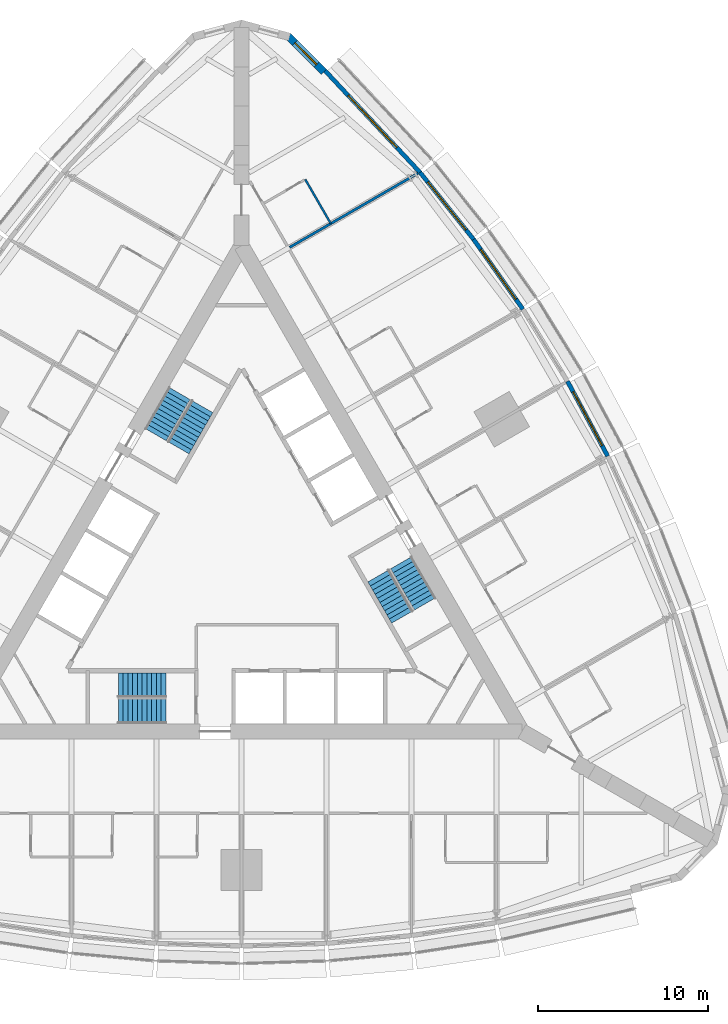
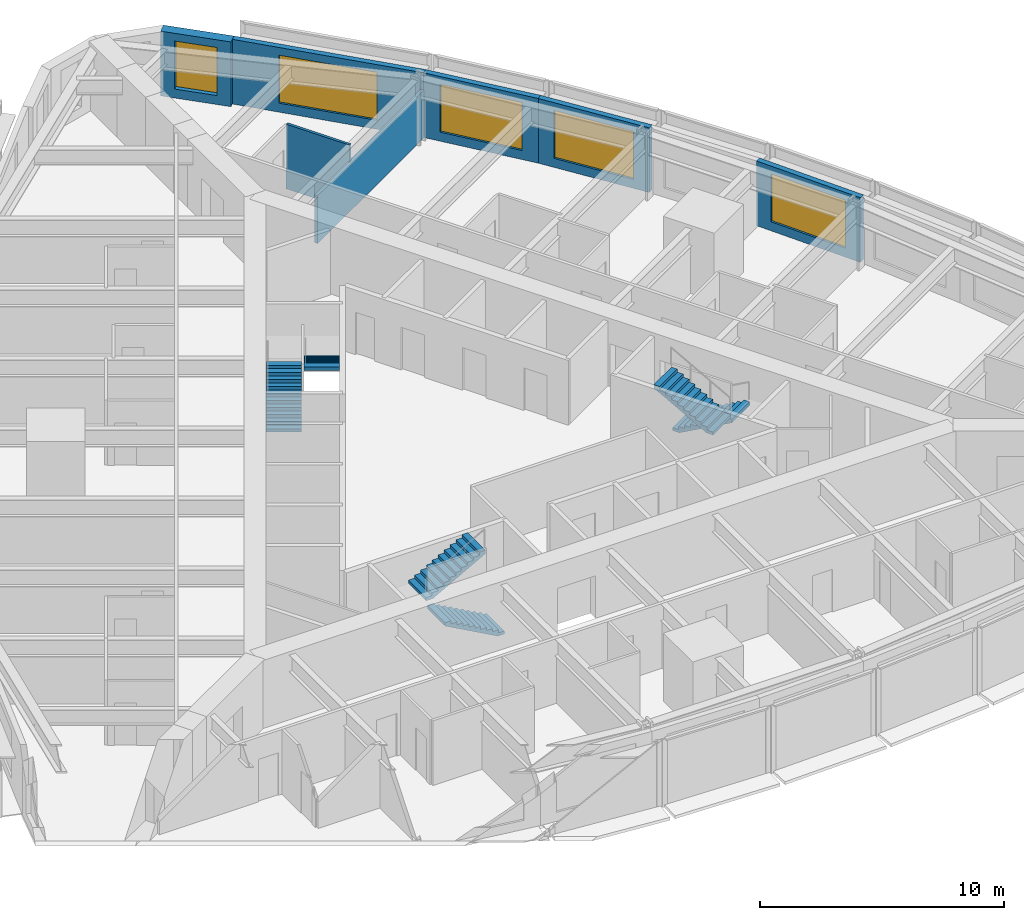
# One storey, part 13 of 14: 7 walls, 6 stair flights, 5 windows, 5 openings, 3 elements without a shape of their own.
"""IFC4 building model written with IfcOpenShell, lengths in metres."""

from ifc_helpers import new_model, si_unit, direction, frame, frame_2d, origin, place, context, subcontext, project, spatial, polyline, rectangle, outline, extrude, material, layer, layer_set, type_object, element, fill, aggregate, save


model = new_model("IFC4")

# Units and contexts
model_context = context("Model", 3, precision=1e-05, world=origin(), true_north=direction((0.0, 1.0)))
body_context = subcontext(model_context, "Body", "Model", "MODEL_VIEW")
ifc_project = project(units=[si_unit("LENGTHUNIT", "METRE"), si_unit("AREAUNIT", "SQUARE_METRE"), si_unit("VOLUMEUNIT", "CUBIC_METRE"), si_unit("PLANEANGLEUNIT", "RADIAN"), si_unit("MASSUNIT", "GRAM", prefix="KILO")], contexts=[model_context])

# Site, building, storey
site_placement = place(None, origin())
site = spatial("IfcSite", under=ifc_project, at=site_placement, CompositionType="ELEMENT")
building_placement = place(site_placement, origin())
building = spatial("IfcBuilding", under=site, at=building_placement, Name="Trikona Tower", CompositionType="ELEMENT")
storey_placement = place(building_placement, frame((0.0, 0.0, 62.5)))
storey = spatial("IfcBuildingStorey", under=building, at=storey_placement, Name="L15", CompositionType="ELEMENT", Elevation=62.5)

# Wall
ifc_material_1 = material(Name="Metal stud and cement board", Category="gypsum")
ifc_layer_1 = layer(ifc_material_1, 0.1201171875)
ifc_layer_set_1 = layer_set([ifc_layer_1], Name="Bathroom wall 120")
wall_type_1 = type_object("IfcWallType", Name="Bathroom wall 120", PredefinedType="PLUMBINGWALL", material=ifc_layer_set_1)
wall_1_placement = place(storey_placement, frame((5.25341796875, 20.353515625, 0.0), z_axis=(0.0, 0.0, 1.0), x_axis=(-0.499990139034, 0.866031096941, 0.0)))
element("IfcWall", 1, at=wall_1_placement, inside=storey, type_object=wall_type_1, Name="Bathroom wall 1512", PredefinedType="PLUMBINGWALL", context=body_context, shape_type="SweptSolid", body=[
    extrude(rectangle(XDim=3.0, YDim=0.1201171875, at=frame_2d((1.5, 0.0))), origin(), (0.0, 0.0, 1.0), 3.235107421875),
])

# Wall, opening, window
ifc_material_2 = material(Name="Brick-faced precast concrete", Category="masonry")
ifc_layer_2 = layer(ifc_material_2, 0.449951171875)
ifc_layer_set_2 = layer_set([ifc_layer_2], Name="Brick-faced corner wall 450")
wall_type_2 = type_object("IfcWallType", Name="Brick-faced corner wall 450", PredefinedType="SOLIDWALL", material=ifc_layer_set_2)
wall_2_placement = place(storey_placement, frame((4.8408203125, 29.285888671875, 0.0), z_axis=(0.0, 0.0, 1.0), x_axis=(-0.707106781187, 0.707106781187, 0.0)))
wall_2 = element("IfcWall", 2, at=wall_2_placement, inside=storey, type_object=wall_type_2, Name="External wall L15-20", PredefinedType="SOLIDWALL", context=body_context, shape_type="SweptSolid", body=[
    extrude(rectangle(XDim=2.98828125, YDim=0.449951171875, at=frame_2d((1.494140625, 0.0))), origin(), (0.0, 0.0, 1.0), 3.235107421875),
])
opening_1_placement = place(wall_2_placement, frame((0.59423828125, 0.0, 0.449951171875)))
opening_1 = element("IfcOpeningElement", 3, at=opening_1_placement, cuts=wall_2, Name="Opening W1824", PredefinedType="OPENING", context=body_context, shape_type="SweptSolid", body=[
    extrude(rectangle(XDim=1.800048828125, YDim=2.39990234375, at=frame_2d((0.89990234375, 1.199951171875))), frame((0.0, 0.23486328125, 0.0), z_axis=(0.0, -1.0, 0.0), x_axis=(1.0, 0.0, 0.0)), (0.0, 0.0, 1.0), 0.469970703125),
])
ifc_material_3 = material(Name="Aluminium-framed double glazing", Category="aluminium")
window_type_1 = type_object("IfcWindowType", Name="Window 1800x2400", PartitioningType="SINGLE_PANEL", PredefinedType="WINDOW", material=ifc_material_3)
window_1_placement = place(opening_1_placement, origin())
window_1 = element("IfcWindow", 4, at=window_1_placement, inside=storey, type_object=window_type_1, Name="Window 1512", OverallHeight=2.39990234375, OverallWidth=1.800048828125, PartitioningType="SINGLE_PANEL", PredefinedType="WINDOW", context=body_context, shape_type="SweptSolid", body=[
    extrude(rectangle(XDim=1.800048828125, YDim=2.39990234375, at=frame_2d((0.89990234375, 1.199951171875))), frame((0.0, 0.030029296875, 0.0), z_axis=(0.0, -1.0, 0.0), x_axis=(1.0, 0.0, 0.0)), (0.0, 0.0, 1.0), 0.06005859375),
])
fill(opening_1, window_1)

ifc_material_4 = material(Name="Insulated precast concrete spandrel panel", Category="concrete")
ifc_layer_3 = layer(ifc_material_4, 0.25)
ifc_layer_set_3 = layer_set([ifc_layer_3], Name="Inner skin wall 250")
wall_type_3 = type_object("IfcWallType", Name="Inner skin wall 250", PredefinedType="STANDARD", material=ifc_layer_set_3)
wall_3_placement = place(storey_placement, frame((21.546630859375, 6.6708984375, 0.0), z_axis=(0.0, 0.0, 1.0), x_axis=(-0.473412820489, 0.880840678782, 0.0)))
wall_3 = element("IfcWall", 5, at=wall_3_placement, inside=storey, type_object=wall_type_3, Name="External wall L15-15", PredefinedType="STANDARD", context=body_context, shape_type="SweptSolid", body=[
    extrude(rectangle(XDim=5.00244140625, YDim=0.25, at=frame_2d((2.501220703125, 0.0))), origin(), (0.0, 0.0, 1.0), 3.235107421875),
])
opening_2_placement = place(wall_3_placement, frame((0.701171875, 0.0, 0.449951171875)))
opening_2 = element("IfcOpeningElement", 6, at=opening_2_placement, cuts=wall_3, Name="Opening W3624", PredefinedType="OPENING", context=body_context, shape_type="SweptSolid", body=[
    extrude(rectangle(XDim=3.60009765625, YDim=2.39990234375, at=frame_2d((1.800048828125, 1.199951171875))), frame((0.0, 0.135009765625, 0.0), z_axis=(0.0, -1.0, 0.0), x_axis=(1.0, 0.0, 0.0)), (0.0, 0.0, 1.0), 0.27001953125),
])
ifc_material_5 = material(Name="Aluminium-framed double glazing", Category="aluminium")
window_type_2 = type_object("IfcWindowType", Name="Window 3600x2400", PartitioningType="SINGLE_PANEL", PredefinedType="WINDOW", material=ifc_material_5)
window_2_placement = place(opening_2_placement, origin())
window_2 = element("IfcWindow", 7, at=window_2_placement, inside=storey, type_object=window_type_2, Name="Window 1509", OverallHeight=2.39990234375, OverallWidth=3.60009765625, PartitioningType="SINGLE_PANEL", PredefinedType="WINDOW", context=body_context, shape_type="SweptSolid", body=[
    extrude(rectangle(XDim=3.60009765625, YDim=2.39990234375, at=frame_2d((1.800048828125, 1.199951171875))), frame((0.0, 0.030029296875, 0.0), z_axis=(0.0, -1.0, 0.0), x_axis=(1.0, 0.0, 0.0)), (0.0, 0.0, 1.0), 0.06005859375),
])
fill(opening_2, window_2)

wall_4_placement = place(storey_placement, frame((16.5546875, 15.318115234375, 0.0), z_axis=(0.0, 0.0, 1.0), x_axis=(-0.5766431066, 0.81699616132, 0.0)))
wall_4 = element("IfcWall", 8, at=wall_4_placement, inside=storey, type_object=wall_type_3, Name="External wall L15-17", PredefinedType="STANDARD", context=body_context, shape_type="SweptSolid", body=[
    extrude(rectangle(XDim=5.02099609375, YDim=0.25, at=frame_2d((2.510498046875, 0.0))), origin(), (0.0, 0.0, 1.0), 3.235107421875),
])
opening_3_placement = place(wall_4_placement, frame((0.71044921875, 0.0, 0.449951171875)))
opening_3 = element("IfcOpeningElement", 9, at=opening_3_placement, cuts=wall_4, Name="Opening W3624", PredefinedType="OPENING", context=body_context, shape_type="SweptSolid", body=[
    extrude(rectangle(XDim=3.60009765625, YDim=2.39990234375, at=frame_2d((1.800048828125, 1.199951171875))), frame((0.0, 0.135009765625, 0.0), z_axis=(0.0, -1.0, 0.0), x_axis=(1.0, 0.0, 0.0)), (0.0, 0.0, 1.0), 0.27001953125),
])
window_3_placement = place(opening_3_placement, origin())
window_3 = element("IfcWindow", 10, at=window_3_placement, inside=storey, type_object=window_type_2, Name="Window 1511", OverallHeight=2.39990234375, OverallWidth=3.60009765625, PartitioningType="SINGLE_PANEL", PredefinedType="WINDOW", context=body_context, shape_type="SweptSolid", body=[
    extrude(rectangle(XDim=3.60009765625, YDim=2.39990234375, at=frame_2d((1.800048828125, 1.199951171875))), frame((0.0, 0.030029296875, 0.0), z_axis=(0.0, -1.0, 0.0), x_axis=(1.0, 0.0, 0.0)), (0.0, 0.0, 1.0), 0.06005859375),
])
fill(opening_3, window_3)

wall_5_placement = place(storey_placement, frame((13.663818359375, 19.4140625, 0.0), z_axis=(0.0, 0.0, 1.0), x_axis=(-0.624594965756, 0.780948864364, 0.0)))
wall_5 = element("IfcWall", 11, at=wall_5_placement, inside=storey, type_object=wall_type_3, Name="External wall L15-18", PredefinedType="STANDARD", context=body_context, shape_type="SweptSolid", body=[
    extrude(rectangle(XDim=5.0576171875, YDim=0.25, at=frame_2d((2.52880859375, 0.0))), origin(), (0.0, 0.0, 1.0), 3.235107421875),
])
opening_4_placement = place(wall_5_placement, frame((0.728759765625, 0.0, 0.449951171875)))
opening_4 = element("IfcOpeningElement", 12, at=opening_4_placement, cuts=wall_5, Name="Opening W3624", PredefinedType="OPENING", context=body_context, shape_type="SweptSolid", body=[
    extrude(rectangle(XDim=3.60009765625, YDim=2.39990234375, at=frame_2d((1.800048828125, 1.199951171875))), frame((0.0, 0.135009765625, 0.0), z_axis=(0.0, -1.0, 0.0), x_axis=(1.0, 0.0, 0.0)), (0.0, 0.0, 1.0), 0.27001953125),
])
window_4_placement = place(opening_4_placement, origin())
window_4 = element("IfcWindow", 13, at=window_4_placement, inside=storey, type_object=window_type_2, Name="Window 1511", OverallHeight=2.39990234375, OverallWidth=3.60009765625, PartitioningType="SINGLE_PANEL", PredefinedType="WINDOW", context=body_context, shape_type="SweptSolid", body=[
    extrude(rectangle(XDim=3.60009765625, YDim=2.39990234375, at=frame_2d((1.800048828125, 1.199951171875))), frame((0.0, 0.030029296875, 0.0), z_axis=(0.0, -1.0, 0.0), x_axis=(1.0, 0.0, 0.0)), (0.0, 0.0, 1.0), 0.06005859375),
])
fill(opening_4, window_4)

wall_6_placement = place(storey_placement, frame((10.510986328125, 23.356689453125, 0.0), z_axis=(0.0, 0.0, 1.0), x_axis=(-0.682289646561, 0.731081964075, 0.0)))
wall_6 = element("IfcWall", 14, at=wall_6_placement, inside=storey, type_object=wall_type_3, Name="External wall L15-19", PredefinedType="STANDARD", context=body_context, shape_type="SweptSolid", body=[
    extrude(rectangle(XDim=8.2109375, YDim=0.25, at=frame_2d((4.10546875, 0.0))), origin(), (0.0, 0.0, 1.0), 3.235107421875),
])
opening_5_placement = place(wall_6_placement, frame((2.005615234375, 0.0, 0.449951171875)))
opening_5 = element("IfcOpeningElement", 15, at=opening_5_placement, cuts=wall_6, Name="Opening W4224", PredefinedType="OPENING", context=body_context, shape_type="SweptSolid", body=[
    extrude(rectangle(XDim=4.199951171875, YDim=2.39990234375, at=frame_2d((2.10009765625, 1.199951171875))), frame((0.0, 0.135009765625, 0.0), z_axis=(0.0, -1.0, 0.0), x_axis=(1.0, 0.0, 0.0)), (0.0, 0.0, 1.0), 0.27001953125),
])
ifc_material_6 = material(Name="Aluminium-framed double glazing", Category="aluminium")
window_type_3 = type_object("IfcWindowType", Name="Window 4200x2400", PartitioningType="SINGLE_PANEL", PredefinedType="WINDOW", material=ifc_material_6)
window_5_placement = place(opening_5_placement, origin())
window_5 = element("IfcWindow", 16, at=window_5_placement, inside=storey, type_object=window_type_3, Name="Window 1512", OverallHeight=2.39990234375, OverallWidth=4.199951171875, PartitioningType="SINGLE_PANEL", PredefinedType="WINDOW", context=body_context, shape_type="SweptSolid", body=[
    extrude(rectangle(XDim=4.199951171875, YDim=2.39990234375, at=frame_2d((2.10009765625, 1.199951171875))), frame((0.0, 0.030029296875, 0.0), z_axis=(0.0, -1.0, 0.0), x_axis=(1.0, 0.0, 0.0)), (0.0, 0.0, 1.0), 0.06005859375),
])
fill(opening_5, window_5)

# Wall
ifc_material_7 = material(Name="Metal stud and gypsum board, 1-hour acoustic", Category="gypsum")
ifc_layer_4 = layer(ifc_material_7, 0.14990234375)
ifc_layer_set_4 = layer_set([ifc_layer_4], Name="Party wall 150")
wall_type_4 = type_object("IfcWallType", Name="Party wall 150", PredefinedType="PARTITIONING", material=ifc_layer_set_4)
wall_7_placement = place(storey_placement, frame((2.82861328125, 18.95361328125, 0.0), z_axis=(0.0, 0.0, 1.0), x_axis=(0.866020536561, 0.500008430184, 0.0)))
element("IfcWall", 17, at=wall_7_placement, inside=storey, type_object=wall_type_4, Name="Partition L15 F2 u15", PredefinedType="PARTITIONING", context=body_context, shape_type="SweptSolid", body=[
    extrude(rectangle(XDim=8.719970703125, YDim=0.14990234375, at=frame_2d((4.35986328125, 0.0))), origin(), (0.0, 0.0, 1.0), 2.38916015625),
])

# Stair, stair flights
ifc_material_8 = material(Name="Concrete f'c 5000 psi", Category="concrete")
stair_type = type_object("IfcStairType", Name="Core stair", PredefinedType="HALF_TURN_STAIR", material=ifc_material_8)
stair_1_placement = place(storey_placement, origin())
stair_1 = element("IfcStair", 18, at=stair_1_placement, inside=storey, type_object=stair_type, Name="Stair A L15", PredefinedType="HALF_TURN_STAIR")
ifc_material_9 = material(Name="Concrete f'c 5000 psi", Category="concrete")
stair_flight_type = type_object("IfcStairFlightType", Name="Core stair flight 1450", PredefinedType="STRAIGHT", material=ifc_material_9)
stair_flight_1_placement = place(storey_placement, frame((-4.449951171875, -8.351318359375, 0.0), z_axis=(0.0, 0.0, 1.0), x_axis=(-1.0, 0.0, 0.0)))
stair_flight_1 = element("IfcStairFlight", 19, at=stair_flight_1_placement, type_object=stair_flight_type, Name="ST-A flight 1", NumberOfRisers=11, NumberOfTreads=10, PredefinedType="STRAIGHT", RiserHeight=0.154545, TreadLength=0.28, context=body_context, shape_type="SweptSolid", body=[
    extrude(outline(polyline([(0.0, 0.0), (0.0, 0.154541015625), (0.280029296875, 0.154541015625), (0.280029296875, 0.30908203125), (0.56005859375, 0.30908203125), (0.56005859375, 0.463623046875), (0.840087890625, 0.463623046875), (0.840087890625, 0.6181640625), (1.1201171875, 0.6181640625), (1.1201171875, 0.772705078125), (1.39990234375, 0.772705078125), (1.39990234375, 0.92724609375), (1.679931640625, 0.92724609375), (1.679931640625, 1.081787109375), (1.9599609375, 1.081787109375), (1.9599609375, 1.236328125), (2.239990234375, 1.236328125), (2.239990234375, 1.390869140625), (2.52001953125, 1.390869140625), (2.52001953125, 1.54541015625), (2.800048828125, 1.54541015625), (2.800048828125, 1.699951171875), (2.800048828125, 1.374267578125), (0.310302734375, 0.0), (0.0, 0.0)])), frame((0.0, 0.72509765625, 0.0), z_axis=(0.0, -1.0, 0.0), x_axis=(1.0, 0.0, 0.0)), (0.0, 0.0, 1.0), 1.449951171875),
])
stair_flight_2_placement = place(storey_placement, frame((-7.25, -6.80126953125, 1.699951171875), z_axis=(0.0, 0.0, 1.0), x_axis=(1.0, 0.0, 0.0)))
stair_flight_2 = element("IfcStairFlight", 20, at=stair_flight_2_placement, type_object=stair_flight_type, Name="ST-A flight 2", NumberOfRisers=11, NumberOfTreads=10, PredefinedType="STRAIGHT", RiserHeight=0.154545, TreadLength=0.28, context=body_context, shape_type="SweptSolid", body=[
    extrude(outline(polyline([(0.0, 0.0), (0.0, 0.154541015625), (0.280029296875, 0.154541015625), (0.280029296875, 0.30908203125), (0.56005859375, 0.30908203125), (0.56005859375, 0.463623046875), (0.840087890625, 0.463623046875), (0.840087890625, 0.6181640625), (1.1201171875, 0.6181640625), (1.1201171875, 0.772705078125), (1.39990234375, 0.772705078125), (1.39990234375, 0.92724609375), (1.679931640625, 0.92724609375), (1.679931640625, 1.081787109375), (1.9599609375, 1.081787109375), (1.9599609375, 1.236328125), (2.239990234375, 1.236328125), (2.239990234375, 1.390869140625), (2.52001953125, 1.390869140625), (2.52001953125, 1.54541015625), (2.800048828125, 1.54541015625), (2.800048828125, 1.699951171875), (2.800048828125, 1.374267578125), (0.310302734375, 0.0), (0.0, 0.0)])), frame((0.0, 0.72509765625, 0.0), z_axis=(0.0, -1.0, 0.0), x_axis=(1.0, 0.0, 0.0)), (0.0, 0.0, 1.0), 1.449951171875),
])
aggregate(stair_1, [stair_flight_1, stair_flight_2])

stair_2_placement = place(storey_placement, origin())
stair_2 = element("IfcStair", 21, at=stair_2_placement, inside=storey, type_object=stair_type, Name="Stair B L15", PredefinedType="HALF_TURN_STAIR")
stair_flight_3_placement = place(storey_placement, frame((9.407470703125, 0.408447265625, 0.0), z_axis=(0.0, 0.0, 1.0), x_axis=(0.5, -0.866025403784, 0.0)))
stair_flight_3 = element("IfcStairFlight", 22, at=stair_flight_3_placement, type_object=stair_flight_type, Name="ST-B flight 1", NumberOfRisers=11, NumberOfTreads=10, PredefinedType="STRAIGHT", RiserHeight=0.154545, TreadLength=0.28, context=body_context, shape_type="SweptSolid", body=[
    extrude(outline(polyline([(0.0, 0.0), (0.0, 0.154541015625), (0.280029296875, 0.154541015625), (0.280029296875, 0.30908203125), (0.56005859375, 0.30908203125), (0.56005859375, 0.463623046875), (0.840087890625, 0.463623046875), (0.840087890625, 0.6181640625), (1.1201171875, 0.6181640625), (1.1201171875, 0.772705078125), (1.39990234375, 0.772705078125), (1.39990234375, 0.92724609375), (1.679931640625, 0.92724609375), (1.679931640625, 1.081787109375), (1.9599609375, 1.081787109375), (1.9599609375, 1.236328125), (2.239990234375, 1.236328125), (2.239990234375, 1.390869140625), (2.52001953125, 1.390869140625), (2.52001953125, 1.54541015625), (2.800048828125, 1.54541015625), (2.800048828125, 1.699951171875), (2.800048828125, 1.374267578125), (0.310302734375, 0.0), (0.0, 0.0)])), frame((0.0, 0.72509765625, 0.0), z_axis=(0.0, -1.0, 0.0), x_axis=(1.0, 0.0, 0.0)), (0.0, 0.0, 1.0), 1.449951171875),
])
stair_flight_4_placement = place(storey_placement, frame((9.465087890625, -2.79150390625, 1.699951171875), z_axis=(0.0, 0.0, 1.0), x_axis=(-0.5, 0.866025403784, 0.0)))
stair_flight_4 = element("IfcStairFlight", 23, at=stair_flight_4_placement, type_object=stair_flight_type, Name="ST-B flight 2", NumberOfRisers=11, NumberOfTreads=10, PredefinedType="STRAIGHT", RiserHeight=0.154545, TreadLength=0.28, context=body_context, shape_type="SweptSolid", body=[
    extrude(outline(polyline([(0.0, 0.0), (0.0, 0.154541015625), (0.280029296875, 0.154541015625), (0.280029296875, 0.30908203125), (0.56005859375, 0.30908203125), (0.56005859375, 0.463623046875), (0.840087890625, 0.463623046875), (0.840087890625, 0.6181640625), (1.1201171875, 0.6181640625), (1.1201171875, 0.772705078125), (1.39990234375, 0.772705078125), (1.39990234375, 0.92724609375), (1.679931640625, 0.92724609375), (1.679931640625, 1.081787109375), (1.9599609375, 1.081787109375), (1.9599609375, 1.236328125), (2.239990234375, 1.236328125), (2.239990234375, 1.390869140625), (2.52001953125, 1.390869140625), (2.52001953125, 1.54541015625), (2.800048828125, 1.54541015625), (2.800048828125, 1.699951171875), (2.800048828125, 1.374267578125), (0.310302734375, 0.0), (0.0, 0.0)])), frame((0.0, 0.72509765625, 0.0), z_axis=(0.0, -1.0, 0.0), x_axis=(1.0, 0.0, 0.0)), (0.0, 0.0, 1.0), 1.449951171875),
])
aggregate(stair_2, [stair_flight_3, stair_flight_4])

stair_3_placement = place(storey_placement, origin())
stair_3 = element("IfcStair", 24, at=stair_3_placement, inside=storey, type_object=stair_type, Name="Stair C L15", PredefinedType="HALF_TURN_STAIR")
stair_flight_5_placement = place(storey_placement, frame((-5.057373046875, 7.94287109375, 0.0), z_axis=(0.0, 0.0, 1.0), x_axis=(0.5, 0.866025403784, 0.0)))
stair_flight_5 = element("IfcStairFlight", 25, at=stair_flight_5_placement, type_object=stair_flight_type, Name="ST-C flight 1", NumberOfRisers=11, NumberOfTreads=10, PredefinedType="STRAIGHT", RiserHeight=0.154545, TreadLength=0.28, context=body_context, shape_type="SweptSolid", body=[
    extrude(outline(polyline([(0.0, 0.0), (0.0, 0.154541015625), (0.280029296875, 0.154541015625), (0.280029296875, 0.30908203125), (0.56005859375, 0.30908203125), (0.56005859375, 0.463623046875), (0.840087890625, 0.463623046875), (0.840087890625, 0.6181640625), (1.1201171875, 0.6181640625), (1.1201171875, 0.772705078125), (1.39990234375, 0.772705078125), (1.39990234375, 0.92724609375), (1.679931640625, 0.92724609375), (1.679931640625, 1.081787109375), (1.9599609375, 1.081787109375), (1.9599609375, 1.236328125), (2.239990234375, 1.236328125), (2.239990234375, 1.390869140625), (2.52001953125, 1.390869140625), (2.52001953125, 1.54541015625), (2.800048828125, 1.54541015625), (2.800048828125, 1.699951171875), (2.800048828125, 1.374267578125), (0.310302734375, 0.0), (0.0, 0.0)])), frame((0.0, 0.72509765625, 0.0), z_axis=(0.0, -1.0, 0.0), x_axis=(1.0, 0.0, 0.0)), (0.0, 0.0, 1.0), 1.449951171875),
])
stair_flight_6_placement = place(storey_placement, frame((-2.315185546875, 9.5927734375, 1.699951171875), z_axis=(0.0, 0.0, 1.0), x_axis=(-0.5, -0.866025403784, 0.0)))
stair_flight_6 = element("IfcStairFlight", 26, at=stair_flight_6_placement, type_object=stair_flight_type, Name="ST-C flight 2", NumberOfRisers=11, NumberOfTreads=10, PredefinedType="STRAIGHT", RiserHeight=0.154545, TreadLength=0.28, context=body_context, shape_type="SweptSolid", body=[
    extrude(outline(polyline([(0.0, 0.0), (0.0, 0.154541015625), (0.280029296875, 0.154541015625), (0.280029296875, 0.30908203125), (0.56005859375, 0.30908203125), (0.56005859375, 0.463623046875), (0.840087890625, 0.463623046875), (0.840087890625, 0.6181640625), (1.1201171875, 0.6181640625), (1.1201171875, 0.772705078125), (1.39990234375, 0.772705078125), (1.39990234375, 0.92724609375), (1.679931640625, 0.92724609375), (1.679931640625, 1.081787109375), (1.9599609375, 1.081787109375), (1.9599609375, 1.236328125), (2.239990234375, 1.236328125), (2.239990234375, 1.390869140625), (2.52001953125, 1.390869140625), (2.52001953125, 1.54541015625), (2.800048828125, 1.54541015625), (2.800048828125, 1.699951171875), (2.800048828125, 1.374267578125), (0.310302734375, 0.0), (0.0, 0.0)])), frame((0.0, 0.72509765625, 0.0), z_axis=(0.0, -1.0, 0.0), x_axis=(1.0, 0.0, 0.0)), (0.0, 0.0, 1.0), 1.449951171875),
])
aggregate(stair_3, [stair_flight_5, stair_flight_6])

save(model, "model.ifc")
